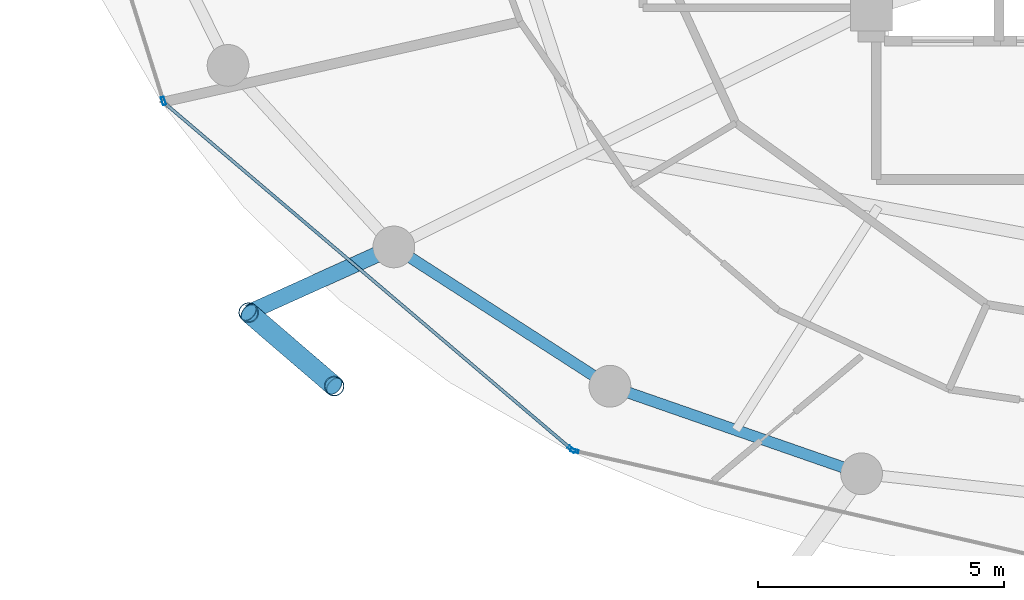
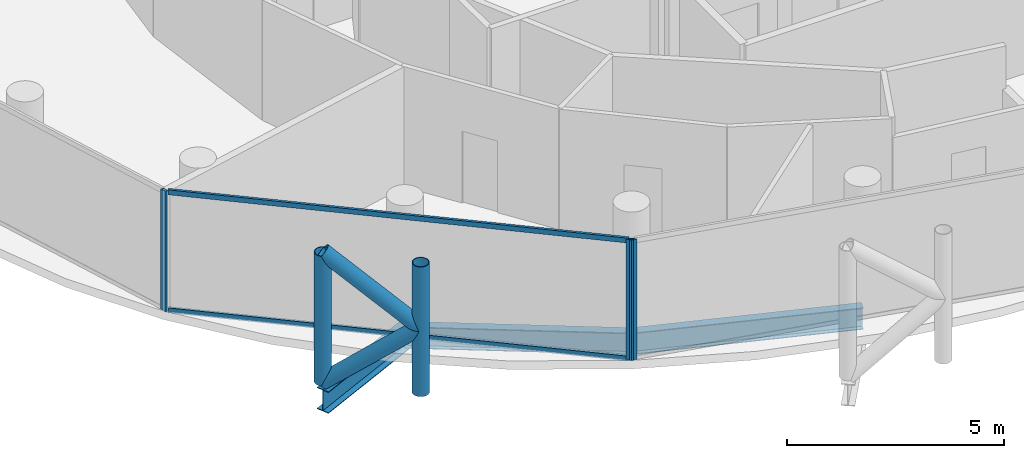
# One storey, part 2 of 27: 9 members, 3 beams, 3 elements without a shape of their own.
"""IFC4 building model written with IfcOpenShell, lengths in metres."""

import ifcopenshell
import ifcopenshell.guid

model = None  # the IFC model being written
_history = None  # IfcOwnerHistory: only IFC2X3 demands one
_inside = {}  # id of a spatial element -> (the spatial element, [elements in it])
_under = {}  # id of a project, library or spatial element -> (it, [spatial elements below it])
_declared = {}  # id of a project -> (the project, [libraries it declares])
_typed = {}  # id of a type object -> (the type object, [elements of that type])
_made_of = {}  # id of a material, layer set ... -> (it, [elements and type objects made of it])


def new_model(schema):
    """Start an empty IFC model of exactly this schema.

    Asked for "IFC4X3", IfcOpenShell would pick the latest addendum, in which some entities
    have other attributes; the version numbers below select the first issue.
    IFC2X3 requires an IfcOwnerHistory on every rooted entity: one is made here for all.
    """
    global model, _history
    if schema == "IFC4X3":
        model = ifcopenshell.file(schema_version=(4, 3, 0, 0))
    else:
        model = ifcopenshell.file(schema=schema)
    _inside.clear()
    _under.clear()
    _declared.clear()
    _typed.clear()
    _made_of.clear()
    _history = None
    if model.schema == "IFC2X3":
        org = make("IfcOrganization", Name="unknown")
        user = make(
            "IfcPersonAndOrganization",
            ThePerson=make("IfcPerson", FamilyName="unknown"),
            TheOrganization=org,
        )
        app = make(
            "IfcApplication",
            ApplicationDeveloper=org,
            Version="unknown",
            ApplicationFullName="unknown",
            ApplicationIdentifier="unknown",
        )
        _history = make(
            "IfcOwnerHistory",
            OwningUser=user,
            OwningApplication=app,
            ChangeAction="ADDED",
            CreationDate=0,
        )
    return model


def make(cls, **values):
    """One entity of the class cls with the attributes given. An attribute that is None is left unset."""
    return model.create_entity(
        cls, **{name: value for name, value in values.items() if value is not None}
    )


def rooted(cls, **values):
    """An entity with a GlobalId (a new one), such as an element, a storey or a relation."""
    return make(cls, GlobalId=ifcopenshell.guid.new(), OwnerHistory=_history, **values)


def si_unit(unit_type, name, prefix=None):
    """IfcSIUnit, for example si_unit("LENGTHUNIT", "METRE", prefix="MILLI")."""
    return make("IfcSIUnit", UnitType=unit_type, Prefix=prefix, Name=name)


def assignment(units):
    """IfcUnitAssignment: the units of a project."""
    return None if units is None else make("IfcUnitAssignment", Units=units)


def point(xyz):
    """IfcCartesianPoint."""
    return None if xyz is None else make("IfcCartesianPoint", Coordinates=xyz)


def direction(xyz):
    """IfcDirection."""
    return None if xyz is None else make("IfcDirection", DirectionRatios=xyz)


def frame(location, z_axis=None, x_axis=None):
    """IfcAxis2Placement3D, a coordinate frame: its origin and axes. An axis left out is left unset."""
    return make(
        "IfcAxis2Placement3D",
        Location=point(location),
        Axis=direction(z_axis),
        RefDirection=direction(x_axis),
    )


def frame_2d(location, x_axis=None):
    """IfcAxis2Placement2D, a coordinate frame in the plane: its origin and x axis."""
    return make(
        "IfcAxis2Placement2D", Location=point(location), RefDirection=direction(x_axis)
    )


def origin():
    """The frame at (0, 0, 0) with its axes left unset."""
    return frame((0.0, 0.0, 0.0))


def origin_2d():
    """The frame at (0, 0) in the plane with its x axis left unset."""
    return frame_2d((0.0, 0.0))


def place(relative_to, where):
    """IfcLocalPlacement: puts the frame where relative to a parent placement (None: the world)."""
    return make(
        "IfcLocalPlacement", PlacementRelTo=relative_to, RelativePlacement=where
    )


def context(
    kind, dimensions, precision=None, world=None, true_north=None, identifier=None
):
    """IfcGeometricRepresentationContext, for example the 3D "Model" context."""
    return make(
        "IfcGeometricRepresentationContext",
        ContextIdentifier=identifier,
        ContextType=kind,
        CoordinateSpaceDimension=dimensions,
        Precision=precision,
        WorldCoordinateSystem=world,
        TrueNorth=true_north,
    )


def subcontext(parent, identifier, kind, view, scale=None):
    """IfcGeometricRepresentationSubContext, for example "Body" below "Model"."""
    return make(
        "IfcGeometricRepresentationSubContext",
        ContextIdentifier=identifier,
        ContextType=kind,
        ParentContext=parent,
        TargetScale=scale,
        TargetView=view,
    )


def project(units=None, contexts=None):
    """IfcProject with its units and contexts."""
    return rooted(
        "IfcProject",
        Name="project",
        RepresentationContexts=contexts,
        UnitsInContext=assignment(units),
    )


def spatial(cls, under=None, at=None, **own):
    """A site, building, storey or space (cls), placed at a placement, below another one or the project."""
    s = rooted(cls, ObjectPlacement=at, **own)
    if under is not None:
        _under.setdefault(under.id(), (under, []))[1].append(s)
    return s


def profile(cls, at=None, kind="AREA", **sizes):
    """A parametric profile (cls). Its sizes go by their IFC names, for example OverallWidth=200.0."""
    return make(cls, ProfileType=kind, Position=at, **sizes)


def hollow_rectangle(**sizes):
    """IfcRectangleHollowProfileDef."""
    return profile("IfcRectangleHollowProfileDef", **sizes)


def hollow_circle(**sizes):
    """IfcCircleHollowProfileDef."""
    return profile("IfcCircleHollowProfileDef", **sizes)


def i_section(**sizes):
    """IfcIShapeProfileDef."""
    return profile("IfcIShapeProfileDef", **sizes)


def extrude(swept, where, along, depth):
    """IfcExtrudedAreaSolid: the profile swept, set in the frame where, extruded along a direction by depth."""
    return make(
        "IfcExtrudedAreaSolid",
        SweptArea=swept,
        Position=where,
        ExtrudedDirection=direction(along),
        Depth=depth,
    )


def shape(context_of_items, identifier, shape_type, items):
    """IfcShapeRepresentation: the items that make up one representation, for example the "Body"."""
    return make(
        "IfcShapeRepresentation",
        ContextOfItems=context_of_items,
        RepresentationIdentifier=identifier,
        RepresentationType=shape_type,
        Items=items,
    )


def material(Name=None, Category=None):
    """IfcMaterial."""
    return make("IfcMaterial", Name=Name, Category=Category)


def layer(
    of_material, thickness, ventilated=None, Name=None, Category=None, Priority=None
):
    """IfcMaterialLayer: one layer of a wall or slab, of a material (None: an air gap)."""
    return make(
        "IfcMaterialLayer",
        Material=of_material,
        LayerThickness=thickness,
        IsVentilated=ventilated,
        Name=Name,
        Category=Category,
        Priority=Priority,
    )


def layer_set(layers, Name=None):
    """IfcMaterialLayerSet."""
    return make("IfcMaterialLayerSet", MaterialLayers=layers, LayerSetName=Name)


def material_profile(
    of_material, cross_section, Name=None, Category=None, Priority=None
):
    """IfcMaterialProfile: a cross section and its material."""
    return make(
        "IfcMaterialProfile",
        Name=Name,
        Material=of_material,
        Profile=cross_section,
        Priority=Priority,
        Category=Category,
    )


def profile_set(profiles, Name=None, composite=None):
    """IfcMaterialProfileSet."""
    return make(
        "IfcMaterialProfileSet",
        Name=Name,
        MaterialProfiles=profiles,
        CompositeProfile=composite,
    )


def made_of(thing, what):
    """Note that an element or type object is made of a material, layer set ...; save() writes the relation."""
    if what is not None:
        _made_of.setdefault(what.id(), (what, []))[1].append(thing)
    return thing


def type_object(cls, material=None, **own):
    """A type object (cls), such as IfcWallType, which elements share."""
    return made_of(rooted(cls, **own), material)


def element(
    cls,
    number,
    at=None,
    inside=None,
    cuts=None,
    type_object=None,
    material=None,
    context=None,
    identifier="Body",
    shape_type=None,
    held_by="IfcProductDefinitionShape",
    body=None,
    shapes=None,
    **own,
):
    """One element of the class cls, such as IfcWall. Its Tag is "e" and its number.

    at: its placement. inside: the storey or other place that contains it. cuts: it is an
    opening in that element (IfcRelVoidsElement). A single representation is given by context,
    identifier, shape_type and body (its items); several are given by shapes. held_by: the class
    of the entity that holds the representations. save() writes the other relations.
    """
    e = rooted(cls, Tag="e%d" % number, ObjectPlacement=at, **own)
    if body is not None:
        shapes = [shape(context, identifier, shape_type, body)]
    if shapes is not None:
        e.Representation = make(held_by, Representations=shapes)
    if inside is not None:
        _inside.setdefault(inside.id(), (inside, []))[1].append(e)
    if cuts is not None:
        rooted(
            "IfcRelVoidsElement", RelatingBuildingElement=cuts, RelatedOpeningElement=e
        )
    if type_object is not None:
        _typed.setdefault(type_object.id(), (type_object, []))[1].append(e)
    return made_of(e, material)


def aggregate(whole, parts):
    """IfcRelAggregates: a whole, such as a stair, and the parts it consists of."""
    return rooted("IfcRelAggregates", RelatingObject=whole, RelatedObjects=parts)


def save(model, path):
    """Write the relations noted so far, then the file.

    IfcRelAggregates (storeys below a building ...), IfcRelContainedInSpatialStructure (elements
    in a storey), IfcRelDefinesByType, IfcRelAssociatesMaterial and IfcRelDeclares: one each for
    every whole, place, type object, material and project.
    """
    for whole, parts in _under.values():
        aggregate(whole, parts)
    for where, things in _inside.values():
        rooted(
            "IfcRelContainedInSpatialStructure",
            RelatedElements=things,
            RelatingStructure=where,
        )
    for kind, things in _typed.values():
        rooted("IfcRelDefinesByType", RelatedObjects=things, RelatingType=kind)
    for what, things in _made_of.values():
        rooted("IfcRelAssociatesMaterial", RelatedObjects=things, RelatingMaterial=what)
    for by, libraries in _declared.values():
        rooted("IfcRelDeclares", RelatingContext=by, RelatedDefinitions=libraries)
    model.write(path)


model = new_model("IFC4")

# Units and contexts
model_context = context("Model", 3, precision=1e-05, world=origin(), true_north=direction((0.0, 1.0)))
body_context = subcontext(model_context, "Body", "Model", "MODEL_VIEW")
ifc_project = project(units=[si_unit("LENGTHUNIT", "METRE"), si_unit("AREAUNIT", "SQUARE_METRE"), si_unit("VOLUMEUNIT", "CUBIC_METRE"), si_unit("PLANEANGLEUNIT", "RADIAN"), si_unit("MASSUNIT", "GRAM", prefix="KILO")], contexts=[model_context])

# Site, building, storey
site_placement = place(None, origin())
site = spatial("IfcSite", under=ifc_project, at=site_placement, CompositionType="ELEMENT")
building_placement = place(site_placement, origin())
building = spatial("IfcBuilding", under=site, at=building_placement, Name="Nuhasar Tower", CompositionType="ELEMENT")
storey_placement = place(building_placement, frame((0.0, 0.0, 251.949951171875)))
storey = spatial("IfcBuildingStorey", under=building, at=storey_placement, Name="L62", CompositionType="ELEMENT", Elevation=251.949951171875)

# Beams
ifc_material_1 = material(Name="Steel S355", Category="steel")
ifc_material_profile_1 = material_profile(ifc_material_1, i_section(OverallWidth=0.22802734375, OverallDepth=0.60791015625, WebThickness=0.01123046875, FlangeThickness=0.017333984375, at=origin_2d()), Name="W24X76")
ifc_profile_set_1 = profile_set([ifc_material_profile_1], Name="Steel S355")
beam_type_1 = type_object("IfcBeamType", Name="BM-RING-W24X76", PredefinedType="SPANDREL", material=ifc_profile_set_1)
beam_1_placement = place(storey_placement, frame((23.97412109375, 14.177978515625, -0.5439453125), z_axis=(0.840502144969, -0.541808217272, 0.0), x_axis=(0.541808217272, 0.840502144969, 0.0)))
element("IfcBeam", 1, at=beam_1_placement, inside=storey, type_object=beam_type_1, Name="L62 Perimeter Ring Spandrel 16", PredefinedType="SPANDREL", context=body_context, shape_type="SweptSolid", body=[
    extrude(i_section(OverallWidth=0.22802734375, OverallDepth=0.60791015625, WebThickness=0.01123046875, FlangeThickness=0.017333984375, at=origin_2d()), origin(), (0.0, 0.0, 1.0), 5.236083984375),
])
beam_2_placement = place(storey_placement, frame((28.375, 11.341064453125, -0.5439453125), z_axis=(0.944476764686, -0.328578211342, 0.0), x_axis=(0.328578211342, 0.944476764686, 0.0)))
element("IfcBeam", 2, at=beam_2_placement, inside=storey, type_object=beam_type_1, Name="L62 Perimeter Ring Spandrel 17", PredefinedType="SPANDREL", context=body_context, shape_type="SweptSolid", body=[
    extrude(i_section(OverallWidth=0.22802734375, OverallDepth=0.60791015625, WebThickness=0.01123046875, FlangeThickness=0.017333984375, at=origin_2d()), origin(), (0.0, 0.0, 1.0), 5.42626953125),
])
ifc_material_profile_2 = material_profile(ifc_material_1, i_section(OverallWidth=0.323974609375, OverallDepth=0.611083984375, WebThickness=0.0126953125, FlangeThickness=0.01904296875, at=origin_2d()), Name="W24X104")
ifc_profile_set_2 = profile_set([ifc_material_profile_2], Name="Steel S355")
beam_type_2 = type_object("IfcBeamType", Name="BM-TIE-W24X104", PredefinedType="BEAM", material=ifc_profile_set_2)
beam_3_placement = place(storey_placement, frame((23.97412109375, 14.177978515625, -0.544921875), z_axis=(-0.911363318082, -0.411602845538, 0.0), x_axis=(0.411602845538, -0.911363318082, 0.0)))
element("IfcBeam", 3, at=beam_3_placement, inside=storey, type_object=beam_type_2, Name="L62 Exoskeleton Node Tie Beam 08", PredefinedType="BEAM", context=body_context, shape_type="SweptSolid", body=[
    extrude(i_section(OverallWidth=0.323974609375, OverallDepth=0.611083984375, WebThickness=0.0126953125, FlangeThickness=0.01904296875, at=origin_2d()), origin(), (0.0, 0.0, 1.0), 3.24560546875),
])

# Curtain wall, member
ifc_material_2 = material(Name="Aluminium 6063-T6", Category="aluminium")
ifc_layer = layer(ifc_material_2, 0.18994140625)
ifc_layer_set = layer_set([ifc_layer], Name="Aluminium 6063-T6")
curtain_wall_type = type_object("IfcCurtainWallType", Name="CW-Z3-RES", PredefinedType="NOTDEFINED", material=ifc_layer_set)
curtain_wall_1_placement = place(storey_placement, origin())
curtain_wall_1 = element("IfcCurtainWall", 4, at=curtain_wall_1_placement, inside=storey, type_object=curtain_wall_type, Name="L62 Unitised Curtain Wall 07", PredefinedType="NOTDEFINED")
ifc_material_profile_3 = material_profile(ifc_material_2, hollow_rectangle(XDim=0.06494140625, YDim=0.169921875, WallThickness=0.0048828125, at=origin_2d()), Name="CWM-4")
ifc_profile_set_3 = profile_set([ifc_material_profile_3], Name="Aluminium 6063-T6")
member_type_1 = type_object("IfcMemberType", Name="CW-MUL-S4", PredefinedType="MULLION", material=ifc_profile_set_3)
member_1_placement = place(storey_placement, frame((19.279296875, 17.15087890625, 0.0), z_axis=(0.0, 0.0, 1.0), x_axis=(0.95380429279, 0.30042864553, 0.0)))
member_1 = element("IfcMember", 5, at=member_1_placement, type_object=member_type_1, Name="CW-Z3 mullion 2", PredefinedType="MULLION", context=body_context, shape_type="SweptSolid", body=[
    extrude(hollow_rectangle(XDim=0.06494140625, YDim=0.169921875, WallThickness=0.0048828125, at=origin_2d()), origin(), (0.0, 0.0, 1.0), 3.39013671875),
])
aggregate(curtain_wall_1, [member_1])

curtain_wall_2_placement = place(storey_placement, origin())
curtain_wall_2 = element("IfcCurtainWall", 6, at=curtain_wall_2_placement, inside=storey, type_object=curtain_wall_type, Name="L62 Unitised Curtain Wall 08", PredefinedType="NOTDEFINED")
member_2_placement = place(storey_placement, frame((27.59521484375, 10.05517578125, 0.0), z_axis=(0.0, 0.0, 1.0), x_axis=(0.64789521578, 0.761729472562, 0.0)))
member_2 = element("IfcMember", 7, at=member_2_placement, type_object=member_type_1, Name="CW-Z3 mullion 2", PredefinedType="MULLION", context=body_context, shape_type="SweptSolid", body=[
    extrude(hollow_rectangle(XDim=0.06494140625, YDim=0.169921875, WallThickness=0.0048828125, at=origin_2d()), origin(), (0.0, 0.0, 1.0), 3.39013671875),
])

curtain_wall_3_placement = place(storey_placement, origin())
curtain_wall_3 = element("IfcCurtainWall", 8, at=curtain_wall_3_placement, inside=storey, type_object=curtain_wall_type, Name="L62 Unitised Curtain Wall 09", PredefinedType="NOTDEFINED")
member_3_placement = place(storey_placement, frame((27.651611328125, 10.02685546875, 0.0), z_axis=(0.0, 0.0, 1.0), x_axis=(0.222243176313, 0.974991266926, 0.0)))
member_3 = element("IfcMember", 9, at=member_3_placement, type_object=member_type_1, Name="CW-Z3 mullion 1", PredefinedType="MULLION", context=body_context, shape_type="SweptSolid", body=[
    extrude(hollow_rectangle(XDim=0.06494140625, YDim=0.169921875, WallThickness=0.0048828125, at=origin_2d()), origin(), (0.0, 0.0, 1.0), 3.39013671875),
])
aggregate(curtain_wall_3, [member_3])

# Member
ifc_material_profile_4 = material_profile(ifc_material_2, hollow_rectangle(XDim=0.06494140625, YDim=0.139892578125, WallThickness=0.00439453125, at=origin_2d()), Name="CWT-4")
ifc_profile_set_4 = profile_set([ifc_material_profile_4], Name="Aluminium 6063-T6")
member_type_2 = type_object("IfcMemberType", Name="CW-TRN-S4", PredefinedType="USERDEFINED", material=ifc_profile_set_4)
member_4_placement = place(storey_placement, frame((19.338623046875, 17.077880859375, 0.032470703125), z_axis=(0.761730809511, -0.647893643928, 0.0), x_axis=(0.647893643928, 0.761730809511, 0.0)))
member_4 = element("IfcMember", 10, at=member_4_placement, type_object=member_type_2, Name="CW-Z3 transom 1.1", ObjectType="TRANSOM", PredefinedType="USERDEFINED", context=body_context, shape_type="SweptSolid", body=[
    extrude(hollow_rectangle(XDim=0.06494140625, YDim=0.139892578125, WallThickness=0.00439453125, at=origin_2d()), origin(), (0.0, 0.0, 1.0), 10.806884765625),
])

member_5_placement = place(storey_placement, frame((19.338623046875, 17.077880859375, 3.357666015625), z_axis=(0.761730809511, -0.647893643928, 0.0), x_axis=(0.647893643928, 0.761730809511, 0.0)))
member_5 = element("IfcMember", 11, at=member_5_placement, type_object=member_type_2, Name="CW-Z3 transom 1.2", ObjectType="TRANSOM", PredefinedType="USERDEFINED", context=body_context, shape_type="SweptSolid", body=[
    extrude(hollow_rectangle(XDim=0.06494140625, YDim=0.139892578125, WallThickness=0.00439453125, at=origin_2d()), origin(), (0.0, 0.0, 1.0), 10.806884765625),
])

aggregate(curtain_wall_2, [member_2, member_4, member_5])

# Members
ifc_material_3 = material(Name="Steel S460", Category="steel")
ifc_material_profile_5 = material_profile(ifc_material_3, hollow_circle(Radius=0.203125, WallThickness=0.01904296875, at=origin_2d()), Name="HSS406.4X19.1")
ifc_profile_set_5 = profile_set([ifc_material_profile_5], Name="Steel S460")
member_type_3 = type_object("IfcMemberType", Name="EXO-BRONZE-406", PredefinedType="BRACE", material=ifc_profile_set_5)
for number, where, z_axis, x_axis, name in (
    (12, (21.01611328125, 12.842041015625, 0.0), (0.0, 0.0, 1.0), (1.0, 0.0, 0.0), "L62 Exoskeleton Chord Column EC-08A"),
    (13, (22.760009765625, 11.343017578125, 0.0), (0.0, 0.0, 1.0), (1.0, 0.0, 0.0), "L62 Exoskeleton Chord Column EC-08B"),
):
    element("IfcMember", number, at=place(storey_placement, frame(where, z_axis=z_axis, x_axis=x_axis)), inside=storey, type_object=member_type_3, Name=name, PredefinedType="BRACE", context=body_context, shape_type="SweptSolid", body=[
        extrude(hollow_circle(Radius=0.203125, WallThickness=0.01904296875, at=origin_2d()), origin(), (0.0, 0.0, 1.0), 3.650146484375),
    ])
for number, where, z_axis, x_axis, name in (
    (14, (21.01611328125, 12.842041015625, 0.0), (0.594018535389, -0.510608120858, 0.621627964725), (0.65185738425, 0.758341579104, 0.0), "L62 Bronze Diagrid Brace W1-08"),
    (15, (22.760009765625, 11.343017578125, 1.824951171875), (-0.593987827832, 0.51058172517, 0.621678986543), (-0.65185738425, -0.758341579104, 0.0), "L62 Bronze Diagrid Brace W2-08"),
):
    element("IfcMember", number, at=place(storey_placement, frame(where, z_axis=z_axis, x_axis=x_axis)), inside=storey, type_object=member_type_3, Name=name, PredefinedType="BRACE", context=body_context, shape_type="SweptSolid", body=[
        extrude(hollow_circle(Radius=0.203125, WallThickness=0.01904296875, at=origin_2d()), origin(), (0.0, 0.0, 1.0), 2.935791015625),
    ])

save(model, "model.ifc")
